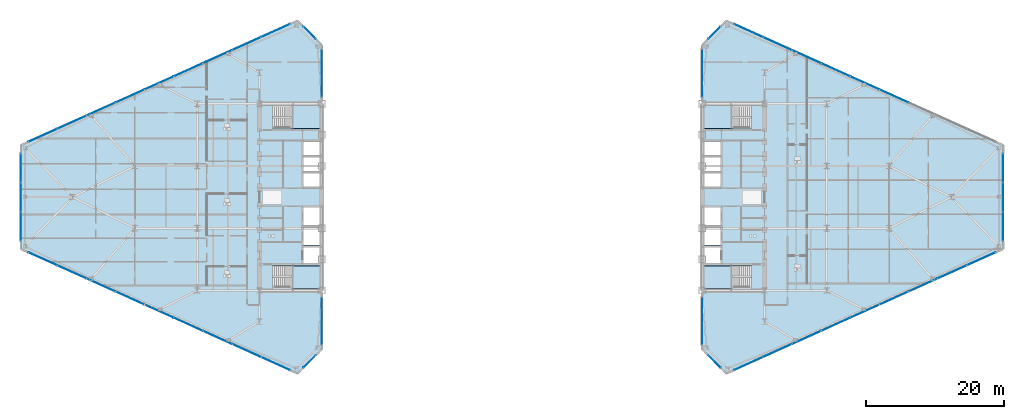
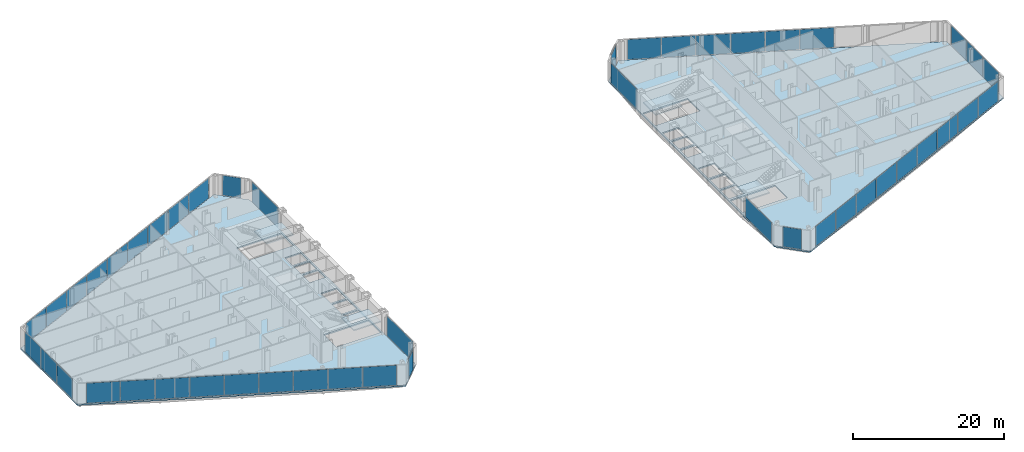
# One storey, part 17 of 27: 47 plates, 6 slabs, 18 elements without a shape of their own.
"""IFC4 building model written with IfcOpenShell, lengths in metres."""

from ifc_helpers import new_model, si_unit, direction, frame, origin, origin_2d, place, context, subcontext, project, spatial, polyline, rectangle, outline, extrude, source, transform, mapped, material, layer, layer_set, type_object, type_shapes, element, aggregate, save


model = new_model("IFC4")

# Units and contexts
model_context = context("Model", 3, precision=1e-05, world=origin(), true_north=direction((0.0, 1.0)))
body_context = subcontext(model_context, "Body", "Model", "MODEL_VIEW")
ifc_project = project(units=[si_unit("LENGTHUNIT", "METRE"), si_unit("AREAUNIT", "SQUARE_METRE"), si_unit("VOLUMEUNIT", "CUBIC_METRE"), si_unit("PLANEANGLEUNIT", "RADIAN"), si_unit("MASSUNIT", "GRAM", prefix="KILO")], contexts=[model_context])

# Site, building, storey
site_placement = place(None, origin())
site = spatial("IfcSite", under=ifc_project, at=site_placement, CompositionType="ELEMENT")
building_placement = place(site_placement, origin())
building = spatial("IfcBuilding", under=site, at=building_placement, Name="Seokmaru Belvedere", CompositionType="ELEMENT")
storey_placement = place(building_placement, frame((0.0, 0.0, 99.60009765625)))
storey = spatial("IfcBuildingStorey", under=building, at=storey_placement, Name="L26", CompositionType="ELEMENT", Elevation=99.60009765625)

# Stair, slab
ifc_material_1 = material(Name="Concrete C40 (40 MPa)", Category="concrete")
stair_type = type_object("IfcStairType", Name="Typical Tower Core Dog-Leg Stair 3600", PredefinedType="TWO_STRAIGHT_RUN_STAIR", material=ifc_material_1)
stair_1_placement = place(storey_placement, origin())
stair_1 = element("IfcStair", 1, at=stair_1_placement, inside=storey, type_object=stair_type, Name="L26 Special Escape Stair ST-W1", PredefinedType="TWO_STRAIGHT_RUN_STAIR")
ifc_layer_1 = layer(ifc_material_1, 0.199951171875)
ifc_layer_set_1 = layer_set([ifc_layer_1], Name="Concrete C40 (40 MPa)")
slab_type_1 = type_object("IfcSlabType", Name="Reinforced Concrete Stair Landing Slab 200", PredefinedType="LANDING", material=ifc_layer_set_1)
slab_1_placement = place(storey_placement, frame((0.0, 0.0, 1.599853515625)))
slab_1 = element("IfcSlab", 2, at=slab_1_placement, type_object=slab_type_1, Name="ST-W1 landing 1", PredefinedType="LANDING", context=body_context, shape_type="SweptSolid", body=[
    extrude(outline(polyline([(-31.8798828125, -13.239990234375), (-27.760009765625, -13.239990234375), (-27.760009765625, -9.949951171875), (-31.8798828125, -9.949951171875), (-31.8798828125, -13.239990234375)])), origin(), (0.0, 0.0, 1.0), 0.199951171875),
])
aggregate(stair_1, [slab_1])

stair_2_placement = place(storey_placement, origin())
stair_2 = element("IfcStair", 3, at=stair_2_placement, inside=storey, type_object=stair_type, Name="L26 Special Escape Stair ST-W2", PredefinedType="TWO_STRAIGHT_RUN_STAIR")
slab_2_placement = place(storey_placement, frame((0.0, 0.0, 1.599853515625)))
slab_2 = element("IfcSlab", 4, at=slab_2_placement, type_object=slab_type_1, Name="ST-W2 landing 1", PredefinedType="LANDING", context=body_context, shape_type="SweptSolid", body=[
    extrude(outline(polyline([(-31.8798828125, 9.949951171875), (-27.760009765625, 9.949951171875), (-27.760009765625, 13.239990234375), (-31.8798828125, 13.239990234375), (-31.8798828125, 9.949951171875)])), origin(), (0.0, 0.0, 1.0), 0.199951171875),
])
aggregate(stair_2, [slab_2])

stair_3_placement = place(storey_placement, origin())
stair_3 = element("IfcStair", 5, at=stair_3_placement, inside=storey, type_object=stair_type, Name="L26 Special Escape Stair ST-E1", PredefinedType="TWO_STRAIGHT_RUN_STAIR")
slab_3_placement = place(storey_placement, frame((0.0, 0.0, 1.599853515625)))
slab_3 = element("IfcSlab", 6, at=slab_3_placement, type_object=slab_type_1, Name="ST-E1 landing 1", PredefinedType="LANDING", context=body_context, shape_type="SweptSolid", body=[
    extrude(outline(polyline([(27.760009765625, -13.239990234375), (31.8798828125, -13.239990234375), (31.8798828125, -9.949951171875), (27.760009765625, -9.949951171875), (27.760009765625, -13.239990234375)])), origin(), (0.0, 0.0, 1.0), 0.199951171875),
])
aggregate(stair_3, [slab_3])

stair_4_placement = place(storey_placement, origin())
stair_4 = element("IfcStair", 7, at=stair_4_placement, inside=storey, type_object=stair_type, Name="L26 Special Escape Stair ST-E2", PredefinedType="TWO_STRAIGHT_RUN_STAIR")
slab_4_placement = place(storey_placement, frame((0.0, 0.0, 1.599853515625)))
slab_4 = element("IfcSlab", 8, at=slab_4_placement, type_object=slab_type_1, Name="ST-E2 landing 1", PredefinedType="LANDING", context=body_context, shape_type="SweptSolid", body=[
    extrude(outline(polyline([(27.760009765625, 9.949951171875), (31.8798828125, 9.949951171875), (31.8798828125, 13.239990234375), (27.760009765625, 13.239990234375), (27.760009765625, 9.949951171875)])), origin(), (0.0, 0.0, 1.0), 0.199951171875),
])
aggregate(stair_4, [slab_4])

# Slabs
ifc_layer_2 = layer(ifc_material_1, 0.219970703125)
ifc_layer_set_2 = layer_set([ifc_layer_2], Name="Concrete C40 (40 MPa)")
slab_type_2 = type_object("IfcSlabType", Name="Typical Tower Composite Floor Slab 220", PredefinedType="FLOOR", material=ifc_layer_set_2)
slab_5_placement = place(storey_placement, frame((0.0, 0.0, -0.22021484375)))
element("IfcSlab", 9, at=slab_5_placement, inside=storey, type_object=slab_type_2, Name="L26 West Leg Floor Slab", PredefinedType="FLOOR", context=body_context, shape_type="SweptSolid", body=[
    extrude(outline(polyline([(-27.5, -22.0), (-27.5, 22.0), (-31.0, 25.5), (-71.0, 7.5), (-71.0, -7.5), (-31.0, -25.5), (-27.5, -22.0)]), holes=[polyline([(-34.60009765625, -13.25), (-27.75, -13.25), (-27.75, -9.949951171875), (-34.60009765625, -9.949951171875), (-34.60009765625, -13.25)]), polyline([(-34.60009765625, 9.949951171875), (-27.75, 9.949951171875), (-27.75, 13.25), (-34.60009765625, 13.25), (-34.60009765625, 9.949951171875)]), polyline([(-30.14990234375, -9.550048828125), (-27.75, -9.550048828125), (-27.75, -7.25), (-30.14990234375, -7.25), (-30.14990234375, -9.550048828125)]), polyline([(-30.14990234375, -6.949951171875), (-27.75, -6.949951171875), (-27.75, -4.35009765625), (-30.14990234375, -4.35009765625), (-30.14990234375, -6.949951171875)]), polyline([(-30.14990234375, -4.050048828125), (-27.75, -4.050048828125), (-27.75, -1.449951171875), (-30.14990234375, -1.449951171875), (-30.14990234375, -4.050048828125)]), polyline([(-30.14990234375, 1.449951171875), (-27.75, 1.449951171875), (-27.75, 3.449951171875), (-30.14990234375, 3.449951171875), (-30.14990234375, 1.449951171875)]), polyline([(-30.14990234375, 3.75), (-27.75, 3.75), (-27.75, 5.75), (-30.14990234375, 5.75), (-30.14990234375, 3.75)]), polyline([(-30.14990234375, 6.050048828125), (-27.75, 6.050048828125), (-27.75, 8.050048828125), (-30.14990234375, 8.050048828125), (-30.14990234375, 6.050048828125)])]), origin(), (0.0, 0.0, 1.0), 0.22021484375),
])
slab_6_placement = place(storey_placement, frame((0.0, 0.0, -0.22021484375)))
element("IfcSlab", 10, at=slab_6_placement, inside=storey, type_object=slab_type_2, Name="L26 East Leg Floor Slab", PredefinedType="FLOOR", context=body_context, shape_type="SweptSolid", body=[
    extrude(outline(polyline([(31.0, -25.5), (71.0, -7.5), (71.0, 7.5), (31.0, 25.5), (27.5, 22.0), (27.5, -22.0), (31.0, -25.5)]), holes=[polyline([(27.75, -13.25), (34.60009765625, -13.25), (34.60009765625, -9.949951171875), (27.75, -9.949951171875), (27.75, -13.25)]), polyline([(27.75, 9.949951171875), (34.60009765625, 9.949951171875), (34.60009765625, 13.25), (27.75, 13.25), (27.75, 9.949951171875)]), polyline([(27.75, -9.550048828125), (30.14990234375, -9.550048828125), (30.14990234375, -7.25), (27.75, -7.25), (27.75, -9.550048828125)]), polyline([(27.75, -6.949951171875), (30.14990234375, -6.949951171875), (30.14990234375, -4.35009765625), (27.75, -4.35009765625), (27.75, -6.949951171875)]), polyline([(27.75, -4.050048828125), (30.14990234375, -4.050048828125), (30.14990234375, -1.449951171875), (27.75, -1.449951171875), (27.75, -4.050048828125)]), polyline([(27.75, 1.449951171875), (30.14990234375, 1.449951171875), (30.14990234375, 3.449951171875), (27.75, 3.449951171875), (27.75, 1.449951171875)]), polyline([(27.75, 3.75), (30.14990234375, 3.75), (30.14990234375, 5.75), (27.75, 5.75), (27.75, 3.75)]), polyline([(27.75, 6.050048828125), (30.14990234375, 6.050048828125), (30.14990234375, 8.050048828125), (27.75, 8.050048828125), (27.75, 6.050048828125)])]), origin(), (0.0, 0.0, 1.0), 0.22021484375),
])

# Curtain wall, plate
ifc_material_2 = material(Name="Bronze Triple Insulating Glass", Category="glass")
ifc_layer_3 = layer(ifc_material_2, 0.195068359375)
ifc_layer_set_3 = layer_set([ifc_layer_3], Name="Bronze Triple Insulating Glass")
curtain_wall_type = type_object("IfcCurtainWallType", Name="Lower-Mid Tapered Curtain Wall System CW-3", PredefinedType="NOTDEFINED", material=ifc_layer_set_3)
curtain_wall_1_placement = place(storey_placement, origin())
curtain_wall_1 = element("IfcCurtainWall", 11, at=curtain_wall_1_placement, inside=storey, type_object=curtain_wall_type, Name="L26 Curtain Wall WSP_1", PredefinedType="NOTDEFINED")
ifc_layer_4 = layer(ifc_material_2, 0.035888671875)
ifc_layer_set_4 = layer_set([ifc_layer_4], Name="Bronze Triple Insulating Glass")
plate_type = type_object("IfcPlateType", Name="Bronze Triple Vision Glazing Panel 36", PredefinedType="CURTAIN_PANEL", material=ifc_layer_set_4)
shared_shape_1 = source(origin(), body_context, "Body", "SweptSolid", [
    extrude(rectangle(XDim=6.909912109375, YDim=0.035888671875, at=origin_2d()), origin(), (0.0, 0.0, 1.0), 3.239990234375),
])
plate_1_placement = place(storey_placement, frame((-27.5, -17.905029296875, 0.06982421875), z_axis=(0.0, 0.0, 1.0), x_axis=(0.0, 1.0, 0.0)))
plate_1 = element("IfcPlate", 12, at=plate_1_placement, type_object=plate_type, Name="CW:L26:WSP_1 Glazing Panel 1-1", PredefinedType="CURTAIN_PANEL", context=body_context, shape_type="MappedRepresentation", body=[
    mapped(shared_shape_1, transform((0.0, 0.0, 0.0), scale=1.0)),
])
aggregate(curtain_wall_1, [plate_1])

curtain_wall_2_placement = place(storey_placement, origin())
curtain_wall_2 = element("IfcCurtainWall", 13, at=curtain_wall_2_placement, inside=storey, type_object=curtain_wall_type, Name="L26 Curtain Wall WSP_2", PredefinedType="NOTDEFINED")
plate_2_placement = place(storey_placement, frame((-27.5, 17.905029296875, 0.06982421875), z_axis=(0.0, 0.0, 1.0), x_axis=(0.0, 1.0, 0.0)))
plate_2 = element("IfcPlate", 14, at=plate_2_placement, type_object=plate_type, Name="CW:L26:WSP_2 Glazing Panel 1-1", PredefinedType="CURTAIN_PANEL", context=body_context, shape_type="MappedRepresentation", body=[
    mapped(shared_shape_1, transform((0.0, 0.0, 0.0), scale=1.0)),
])
aggregate(curtain_wall_2, [plate_2])

curtain_wall_3_placement = place(storey_placement, origin())
curtain_wall_3 = element("IfcCurtainWall", 15, at=curtain_wall_3_placement, inside=storey, type_object=curtain_wall_type, Name="L26 Curtain Wall ESP_1", PredefinedType="NOTDEFINED")
plate_3_placement = place(storey_placement, frame((27.5, -17.905029296875, 0.06982421875), z_axis=(0.0, 0.0, 1.0), x_axis=(0.0, -1.0, 0.0)))
plate_3 = element("IfcPlate", 16, at=plate_3_placement, type_object=plate_type, Name="CW:L26:ESP_1 Glazing Panel 1-1", PredefinedType="CURTAIN_PANEL", context=body_context, shape_type="MappedRepresentation", body=[
    mapped(shared_shape_1, transform((0.0, 0.0, 0.0), scale=1.0)),
])
aggregate(curtain_wall_3, [plate_3])

curtain_wall_4_placement = place(storey_placement, origin())
curtain_wall_4 = element("IfcCurtainWall", 17, at=curtain_wall_4_placement, inside=storey, type_object=curtain_wall_type, Name="L26 Curtain Wall ESP_2", PredefinedType="NOTDEFINED")
plate_4_placement = place(storey_placement, frame((27.5, 17.905029296875, 0.06982421875), z_axis=(0.0, 0.0, 1.0), x_axis=(0.0, -1.0, 0.0)))
plate_4 = element("IfcPlate", 18, at=plate_4_placement, type_object=plate_type, Name="CW:L26:ESP_2 Glazing Panel 1-1", PredefinedType="CURTAIN_PANEL", context=body_context, shape_type="MappedRepresentation", body=[
    mapped(shared_shape_1, transform((0.0, 0.0, 0.0), scale=1.0)),
])
aggregate(curtain_wall_4, [plate_4])

curtain_wall_5_placement = place(storey_placement, origin())
curtain_wall_5 = element("IfcCurtainWall", 19, at=curtain_wall_5_placement, inside=storey, type_object=curtain_wall_type, Name="L26 Curtain Wall WF2", PredefinedType="NOTDEFINED")
shared_shape_2 = source(origin(), body_context, "Body", "SweptSolid", [
    extrude(rectangle(XDim=2.509765625, YDim=0.035888671875, at=origin_2d()), origin(), (0.0, 0.0, 1.0), 3.239990234375),
])
plate_5_placement = place(storey_placement, frame((-29.25, 23.75, 0.06982421875), z_axis=(0.0, 0.0, 1.0), x_axis=(-0.707106781187, 0.707106781187, 0.0)))
plate_5 = element("IfcPlate", 20, at=plate_5_placement, type_object=plate_type, Name="CW:L26:WF2 Glazing Panel 1-1", PredefinedType="CURTAIN_PANEL", context=body_context, shape_type="MappedRepresentation", body=[
    mapped(shared_shape_2, transform((0.0, 0.0, 0.0), scale=1.0)),
])
aggregate(curtain_wall_5, [plate_5])

curtain_wall_6_placement = place(storey_placement, origin())
curtain_wall_6 = element("IfcCurtainWall", 21, at=curtain_wall_6_placement, inside=storey, type_object=curtain_wall_type, Name="L26 Curtain Wall WF6", PredefinedType="NOTDEFINED")
plate_6_placement = place(storey_placement, frame((-29.25, -23.75, 0.06982421875), z_axis=(0.0, 0.0, 1.0), x_axis=(0.707106781187, 0.707106781187, 0.0)))
plate_6 = element("IfcPlate", 22, at=plate_6_placement, type_object=plate_type, Name="CW:L26:WF6 Glazing Panel 1-1", PredefinedType="CURTAIN_PANEL", context=body_context, shape_type="MappedRepresentation", body=[
    mapped(shared_shape_2, transform((0.0, 0.0, 0.0), scale=1.0)),
])
aggregate(curtain_wall_6, [plate_6])

curtain_wall_7_placement = place(storey_placement, origin())
curtain_wall_7 = element("IfcCurtainWall", 23, at=curtain_wall_7_placement, inside=storey, type_object=curtain_wall_type, Name="L26 Curtain Wall EF4", PredefinedType="NOTDEFINED")
plate_7_placement = place(storey_placement, frame((29.25, 23.75, 0.06982421875), z_axis=(0.0, 0.0, 1.0), x_axis=(-0.707106781187, -0.707106781187, 0.0)))
plate_7 = element("IfcPlate", 24, at=plate_7_placement, type_object=plate_type, Name="CW:L26:EF4 Glazing Panel 1-1", PredefinedType="CURTAIN_PANEL", context=body_context, shape_type="MappedRepresentation", body=[
    mapped(shared_shape_2, transform((0.0, 0.0, 0.0), scale=1.0)),
])
aggregate(curtain_wall_7, [plate_7])

curtain_wall_8_placement = place(storey_placement, origin())
curtain_wall_8 = element("IfcCurtainWall", 25, at=curtain_wall_8_placement, inside=storey, type_object=curtain_wall_type, Name="L26 Curtain Wall EF6", PredefinedType="NOTDEFINED")
plate_8_placement = place(storey_placement, frame((29.25, -23.75, 0.06982421875), z_axis=(0.0, 0.0, 1.0), x_axis=(0.707106781187, -0.707106781187, 0.0)))
plate_8 = element("IfcPlate", 26, at=plate_8_placement, type_object=plate_type, Name="CW:L26:EF6 Glazing Panel 1-1", PredefinedType="CURTAIN_PANEL", context=body_context, shape_type="MappedRepresentation", body=[
    mapped(shared_shape_2, transform((0.0, 0.0, 0.0), scale=1.0)),
])
aggregate(curtain_wall_8, [plate_8])

# Curtain wall, plates
curtain_wall_9_placement = place(storey_placement, origin())
curtain_wall_9 = element("IfcCurtainWall", 27, at=curtain_wall_9_placement, inside=storey, type_object=curtain_wall_type, Name="L26 Curtain Wall WF3", PredefinedType="NOTDEFINED")
shared_shape_3 = source(origin(), body_context, "Body", "SweptSolid", [
    extrude(rectangle(XDim=4.51318359375, YDim=0.035888671875, at=origin_2d()), origin(), (0.0, 0.0, 1.0), 3.239990234375),
])
plate_9_placement = place(storey_placement, frame((-34.17041015625, 24.073486328125, 0.06982421875), z_axis=(0.0, 0.0, 1.0), x_axis=(-0.91192111353, -0.41036554765, 0.0)))
plate_9 = element("IfcPlate", 28, at=plate_9_placement, type_object=plate_type, Name="CW:L26:WF3 Glazing Panel 1-1", PredefinedType="CURTAIN_PANEL", context=body_context, shape_type="MappedRepresentation", body=[
    mapped(shared_shape_3, transform((0.0, 0.0, 0.0), scale=1.0)),
])
plate_10_placement = place(storey_placement, frame((-67.82958984375, 8.926513671875, 0.06982421875), z_axis=(0.0, 0.0, 1.0), x_axis=(-0.91192111353, -0.41036554765, 0.0)))
plate_10 = element("IfcPlate", 29, at=plate_10_placement, type_object=plate_type, Name="CW:L26:WF3 Glazing Panel 9-1", PredefinedType="CURTAIN_PANEL", context=body_context, shape_type="MappedRepresentation", body=[
    mapped(shared_shape_3, transform((0.0, 0.0, 0.0), scale=1.0)),
])

curtain_wall_10_placement = place(storey_placement, origin())
curtain_wall_10 = element("IfcCurtainWall", 30, at=curtain_wall_10_placement, inside=storey, type_object=curtain_wall_type, Name="L26 Curtain Wall WF5", PredefinedType="NOTDEFINED")
plate_11_placement = place(storey_placement, frame((-67.82958984375, -8.926513671875, 0.06982421875), z_axis=(0.0, 0.0, 1.0), x_axis=(0.91192111353, -0.41036554765, 0.0)))
plate_11 = element("IfcPlate", 31, at=plate_11_placement, type_object=plate_type, Name="CW:L26:WF5 Glazing Panel 1-1", PredefinedType="CURTAIN_PANEL", context=body_context, shape_type="MappedRepresentation", body=[
    mapped(shared_shape_3, transform((0.0, 0.0, 0.0), scale=1.0)),
])
plate_12_placement = place(storey_placement, frame((-34.17041015625, -24.073486328125, 0.06982421875), z_axis=(0.0, 0.0, 1.0), x_axis=(0.91192111353, -0.41036554765, 0.0)))
plate_12 = element("IfcPlate", 32, at=plate_12_placement, type_object=plate_type, Name="CW:L26:WF5 Glazing Panel 9-1", PredefinedType="CURTAIN_PANEL", context=body_context, shape_type="MappedRepresentation", body=[
    mapped(shared_shape_3, transform((0.0, 0.0, 0.0), scale=1.0)),
])

curtain_wall_11_placement = place(storey_placement, origin())
curtain_wall_11 = element("IfcCurtainWall", 33, at=curtain_wall_11_placement, inside=storey, type_object=curtain_wall_type, Name="L26 Curtain Wall EF1", PredefinedType="NOTDEFINED")
plate_13_placement = place(storey_placement, frame((34.17041015625, -24.073486328125, 0.06982421875), z_axis=(0.0, 0.0, 1.0), x_axis=(0.91192111353, 0.41036554765, 0.0)))
plate_13 = element("IfcPlate", 34, at=plate_13_placement, type_object=plate_type, Name="CW:L26:EF1 Glazing Panel 1-1", PredefinedType="CURTAIN_PANEL", context=body_context, shape_type="MappedRepresentation", body=[
    mapped(shared_shape_3, transform((0.0, 0.0, 0.0), scale=1.0)),
])
plate_14_placement = place(storey_placement, frame((67.82958984375, -8.926513671875, 0.06982421875), z_axis=(0.0, 0.0, 1.0), x_axis=(0.91192111353, 0.41036554765, 0.0)))
plate_14 = element("IfcPlate", 35, at=plate_14_placement, type_object=plate_type, Name="CW:L26:EF1 Glazing Panel 9-1", PredefinedType="CURTAIN_PANEL", context=body_context, shape_type="MappedRepresentation", body=[
    mapped(shared_shape_3, transform((0.0, 0.0, 0.0), scale=1.0)),
])

# Curtain wall, plate
curtain_wall_12_placement = place(storey_placement, origin())
curtain_wall_12 = element("IfcCurtainWall", 36, at=curtain_wall_12_placement, inside=storey, type_object=curtain_wall_type, Name="L26 Curtain Wall EF3", PredefinedType="NOTDEFINED")
plate_15_placement = place(storey_placement, frame((34.17041015625, 24.073486328125, 0.06982421875), z_axis=(0.0, 0.0, 1.0), x_axis=(-0.91192111353, 0.41036554765, 0.0)))
plate_15 = element("IfcPlate", 37, at=plate_15_placement, type_object=plate_type, Name="CW:L26:EF3 Glazing Panel 9-1", PredefinedType="CURTAIN_PANEL", context=body_context, shape_type="MappedRepresentation", body=[
    mapped(shared_shape_3, transform((0.0, 0.0, 0.0), scale=1.0)),
])

# Plate
shared_shape_4 = source(origin(), body_context, "Body", "SweptSolid", [
    extrude(rectangle(XDim=4.548095703125, YDim=0.035888671875, at=origin_2d()), origin(), (0.0, 0.0, 1.0), 3.239990234375),
])
plate_16_placement = place(storey_placement, frame((-38.36572265625, 22.185302734375, 0.06982421875), z_axis=(0.0, 0.0, 1.0), x_axis=(-0.91192111353, -0.41036554765, 0.0)))
plate_16 = element("IfcPlate", 38, at=plate_16_placement, type_object=plate_type, Name="CW:L26:WF3 Glazing Panel 2-1", PredefinedType="CURTAIN_PANEL", context=body_context, shape_type="MappedRepresentation", body=[
    mapped(shared_shape_4, transform((0.0, 0.0, 0.0), scale=1.0)),
])

plate_17_placement = place(storey_placement, frame((-42.5771484375, 20.290283203125, 0.06982421875), z_axis=(0.0, 0.0, 1.0), x_axis=(-0.91192111353, -0.41036554765, 0.0)))
plate_17 = element("IfcPlate", 39, at=plate_17_placement, type_object=plate_type, Name="CW:L26:WF3 Glazing Panel 3-1", PredefinedType="CURTAIN_PANEL", context=body_context, shape_type="MappedRepresentation", body=[
    mapped(shared_shape_4, transform((0.0, 0.0, 0.0), scale=1.0)),
])

plate_18_placement = place(storey_placement, frame((-46.78857421875, 18.39501953125, 0.06982421875), z_axis=(0.0, 0.0, 1.0), x_axis=(-0.91192111353, -0.41036554765, 0.0)))
plate_18 = element("IfcPlate", 40, at=plate_18_placement, type_object=plate_type, Name="CW:L26:WF3 Glazing Panel 4-1", PredefinedType="CURTAIN_PANEL", context=body_context, shape_type="MappedRepresentation", body=[
    mapped(shared_shape_4, transform((0.0, 0.0, 0.0), scale=1.0)),
])

plate_19_placement = place(storey_placement, frame((-51.0, 16.5, 0.06982421875), z_axis=(0.0, 0.0, 1.0), x_axis=(-0.91192111353, -0.41036554765, 0.0)))
plate_19 = element("IfcPlate", 41, at=plate_19_placement, type_object=plate_type, Name="CW:L26:WF3 Glazing Panel 5-1", PredefinedType="CURTAIN_PANEL", context=body_context, shape_type="MappedRepresentation", body=[
    mapped(shared_shape_4, transform((0.0, 0.0, 0.0), scale=1.0)),
])

plate_20_placement = place(storey_placement, frame((-55.21142578125, 14.60498046875, 0.06982421875), z_axis=(0.0, 0.0, 1.0), x_axis=(-0.91192111353, -0.41036554765, 0.0)))
plate_20 = element("IfcPlate", 42, at=plate_20_placement, type_object=plate_type, Name="CW:L26:WF3 Glazing Panel 6-1", PredefinedType="CURTAIN_PANEL", context=body_context, shape_type="MappedRepresentation", body=[
    mapped(shared_shape_4, transform((0.0, 0.0, 0.0), scale=1.0)),
])

plate_21_placement = place(storey_placement, frame((-59.4228515625, 12.709716796875, 0.06982421875), z_axis=(0.0, 0.0, 1.0), x_axis=(-0.91192111353, -0.41036554765, 0.0)))
plate_21 = element("IfcPlate", 43, at=plate_21_placement, type_object=plate_type, Name="CW:L26:WF3 Glazing Panel 7-1", PredefinedType="CURTAIN_PANEL", context=body_context, shape_type="MappedRepresentation", body=[
    mapped(shared_shape_4, transform((0.0, 0.0, 0.0), scale=1.0)),
])

plate_22_placement = place(storey_placement, frame((-63.63427734375, 10.814697265625, 0.06982421875), z_axis=(0.0, 0.0, 1.0), x_axis=(-0.91192111353, -0.41036554765, 0.0)))
plate_22 = element("IfcPlate", 44, at=plate_22_placement, type_object=plate_type, Name="CW:L26:WF3 Glazing Panel 8-1", PredefinedType="CURTAIN_PANEL", context=body_context, shape_type="MappedRepresentation", body=[
    mapped(shared_shape_4, transform((0.0, 0.0, 0.0), scale=1.0)),
])

aggregate(curtain_wall_9, [plate_9, plate_16, plate_17, plate_18, plate_19, plate_20, plate_21, plate_22, plate_10])

plate_23_placement = place(storey_placement, frame((-63.63427734375, -10.814697265625, 0.06982421875), z_axis=(0.0, 0.0, 1.0), x_axis=(0.91192111353, -0.41036554765, 0.0)))
plate_23 = element("IfcPlate", 45, at=plate_23_placement, type_object=plate_type, Name="CW:L26:WF5 Glazing Panel 2-1", PredefinedType="CURTAIN_PANEL", context=body_context, shape_type="MappedRepresentation", body=[
    mapped(shared_shape_4, transform((0.0, 0.0, 0.0), scale=1.0)),
])

plate_24_placement = place(storey_placement, frame((-59.4228515625, -12.709716796875, 0.06982421875), z_axis=(0.0, 0.0, 1.0), x_axis=(0.91192111353, -0.41036554765, 0.0)))
plate_24 = element("IfcPlate", 46, at=plate_24_placement, type_object=plate_type, Name="CW:L26:WF5 Glazing Panel 3-1", PredefinedType="CURTAIN_PANEL", context=body_context, shape_type="MappedRepresentation", body=[
    mapped(shared_shape_4, transform((0.0, 0.0, 0.0), scale=1.0)),
])

plate_25_placement = place(storey_placement, frame((-55.21142578125, -14.60498046875, 0.06982421875), z_axis=(0.0, 0.0, 1.0), x_axis=(0.91192111353, -0.41036554765, 0.0)))
plate_25 = element("IfcPlate", 47, at=plate_25_placement, type_object=plate_type, Name="CW:L26:WF5 Glazing Panel 4-1", PredefinedType="CURTAIN_PANEL", context=body_context, shape_type="MappedRepresentation", body=[
    mapped(shared_shape_4, transform((0.0, 0.0, 0.0), scale=1.0)),
])

plate_26_placement = place(storey_placement, frame((-51.0, -16.5, 0.06982421875), z_axis=(0.0, 0.0, 1.0), x_axis=(0.91192111353, -0.41036554765, 0.0)))
plate_26 = element("IfcPlate", 48, at=plate_26_placement, type_object=plate_type, Name="CW:L26:WF5 Glazing Panel 5-1", PredefinedType="CURTAIN_PANEL", context=body_context, shape_type="MappedRepresentation", body=[
    mapped(shared_shape_4, transform((0.0, 0.0, 0.0), scale=1.0)),
])

plate_27_placement = place(storey_placement, frame((-46.78857421875, -18.39501953125, 0.06982421875), z_axis=(0.0, 0.0, 1.0), x_axis=(0.91192111353, -0.41036554765, 0.0)))
plate_27 = element("IfcPlate", 49, at=plate_27_placement, type_object=plate_type, Name="CW:L26:WF5 Glazing Panel 6-1", PredefinedType="CURTAIN_PANEL", context=body_context, shape_type="MappedRepresentation", body=[
    mapped(shared_shape_4, transform((0.0, 0.0, 0.0), scale=1.0)),
])

plate_28_placement = place(storey_placement, frame((-42.5771484375, -20.290283203125, 0.06982421875), z_axis=(0.0, 0.0, 1.0), x_axis=(0.91192111353, -0.41036554765, 0.0)))
plate_28 = element("IfcPlate", 50, at=plate_28_placement, type_object=plate_type, Name="CW:L26:WF5 Glazing Panel 7-1", PredefinedType="CURTAIN_PANEL", context=body_context, shape_type="MappedRepresentation", body=[
    mapped(shared_shape_4, transform((0.0, 0.0, 0.0), scale=1.0)),
])

plate_29_placement = place(storey_placement, frame((-38.36572265625, -22.185302734375, 0.06982421875), z_axis=(0.0, 0.0, 1.0), x_axis=(0.91192111353, -0.41036554765, 0.0)))
plate_29 = element("IfcPlate", 51, at=plate_29_placement, type_object=plate_type, Name="CW:L26:WF5 Glazing Panel 8-1", PredefinedType="CURTAIN_PANEL", context=body_context, shape_type="MappedRepresentation", body=[
    mapped(shared_shape_4, transform((0.0, 0.0, 0.0), scale=1.0)),
])

aggregate(curtain_wall_10, [plate_11, plate_23, plate_24, plate_25, plate_26, plate_27, plate_28, plate_29, plate_12])

plate_30_placement = place(storey_placement, frame((38.36572265625, -22.185302734375, 0.06982421875), z_axis=(0.0, 0.0, 1.0), x_axis=(0.91192111353, 0.41036554765, 0.0)))
plate_30 = element("IfcPlate", 52, at=plate_30_placement, type_object=plate_type, Name="CW:L26:EF1 Glazing Panel 2-1", PredefinedType="CURTAIN_PANEL", context=body_context, shape_type="MappedRepresentation", body=[
    mapped(shared_shape_4, transform((0.0, 0.0, 0.0), scale=1.0)),
])

plate_31_placement = place(storey_placement, frame((42.5771484375, -20.290283203125, 0.06982421875), z_axis=(0.0, 0.0, 1.0), x_axis=(0.91192111353, 0.41036554765, 0.0)))
plate_31 = element("IfcPlate", 53, at=plate_31_placement, type_object=plate_type, Name="CW:L26:EF1 Glazing Panel 3-1", PredefinedType="CURTAIN_PANEL", context=body_context, shape_type="MappedRepresentation", body=[
    mapped(shared_shape_4, transform((0.0, 0.0, 0.0), scale=1.0)),
])

plate_32_placement = place(storey_placement, frame((46.78857421875, -18.39501953125, 0.06982421875), z_axis=(0.0, 0.0, 1.0), x_axis=(0.91192111353, 0.41036554765, 0.0)))
plate_32 = element("IfcPlate", 54, at=plate_32_placement, type_object=plate_type, Name="CW:L26:EF1 Glazing Panel 4-1", PredefinedType="CURTAIN_PANEL", context=body_context, shape_type="MappedRepresentation", body=[
    mapped(shared_shape_4, transform((0.0, 0.0, 0.0), scale=1.0)),
])

plate_33_placement = place(storey_placement, frame((51.0, -16.5, 0.06982421875), z_axis=(0.0, 0.0, 1.0), x_axis=(0.91192111353, 0.41036554765, 0.0)))
plate_33 = element("IfcPlate", 55, at=plate_33_placement, type_object=plate_type, Name="CW:L26:EF1 Glazing Panel 5-1", PredefinedType="CURTAIN_PANEL", context=body_context, shape_type="MappedRepresentation", body=[
    mapped(shared_shape_4, transform((0.0, 0.0, 0.0), scale=1.0)),
])

plate_34_placement = place(storey_placement, frame((55.21142578125, -14.60498046875, 0.06982421875), z_axis=(0.0, 0.0, 1.0), x_axis=(0.91192111353, 0.41036554765, 0.0)))
plate_34 = element("IfcPlate", 56, at=plate_34_placement, type_object=plate_type, Name="CW:L26:EF1 Glazing Panel 6-1", PredefinedType="CURTAIN_PANEL", context=body_context, shape_type="MappedRepresentation", body=[
    mapped(shared_shape_4, transform((0.0, 0.0, 0.0), scale=1.0)),
])

plate_35_placement = place(storey_placement, frame((59.4228515625, -12.709716796875, 0.06982421875), z_axis=(0.0, 0.0, 1.0), x_axis=(0.91192111353, 0.41036554765, 0.0)))
plate_35 = element("IfcPlate", 57, at=plate_35_placement, type_object=plate_type, Name="CW:L26:EF1 Glazing Panel 7-1", PredefinedType="CURTAIN_PANEL", context=body_context, shape_type="MappedRepresentation", body=[
    mapped(shared_shape_4, transform((0.0, 0.0, 0.0), scale=1.0)),
])

plate_36_placement = place(storey_placement, frame((63.63427734375, -10.814697265625, 0.06982421875), z_axis=(0.0, 0.0, 1.0), x_axis=(0.91192111353, 0.41036554765, 0.0)))
plate_36 = element("IfcPlate", 58, at=plate_36_placement, type_object=plate_type, Name="CW:L26:EF1 Glazing Panel 8-1", PredefinedType="CURTAIN_PANEL", context=body_context, shape_type="MappedRepresentation", body=[
    mapped(shared_shape_4, transform((0.0, 0.0, 0.0), scale=1.0)),
])

aggregate(curtain_wall_11, [plate_13, plate_30, plate_31, plate_32, plate_33, plate_34, plate_35, plate_36, plate_14])

plate_37_placement = place(storey_placement, frame((55.21142578125, 14.60498046875, 0.06982421875), z_axis=(0.0, 0.0, 1.0), x_axis=(-0.91192111353, 0.41036554765, 0.0)))
plate_37 = element("IfcPlate", 59, at=plate_37_placement, type_object=plate_type, Name="CW:L26:EF3 Glazing Panel 4-1", PredefinedType="CURTAIN_PANEL", context=body_context, shape_type="MappedRepresentation", body=[
    mapped(shared_shape_4, transform((0.0, 0.0, 0.0), scale=1.0)),
])

plate_38_placement = place(storey_placement, frame((51.0, 16.5, 0.06982421875), z_axis=(0.0, 0.0, 1.0), x_axis=(-0.91192111353, 0.41036554765, 0.0)))
plate_38 = element("IfcPlate", 60, at=plate_38_placement, type_object=plate_type, Name="CW:L26:EF3 Glazing Panel 5-1", PredefinedType="CURTAIN_PANEL", context=body_context, shape_type="MappedRepresentation", body=[
    mapped(shared_shape_4, transform((0.0, 0.0, 0.0), scale=1.0)),
])

plate_39_placement = place(storey_placement, frame((46.78857421875, 18.39501953125, 0.06982421875), z_axis=(0.0, 0.0, 1.0), x_axis=(-0.91192111353, 0.41036554765, 0.0)))
plate_39 = element("IfcPlate", 61, at=plate_39_placement, type_object=plate_type, Name="CW:L26:EF3 Glazing Panel 6-1", PredefinedType="CURTAIN_PANEL", context=body_context, shape_type="MappedRepresentation", body=[
    mapped(shared_shape_4, transform((0.0, 0.0, 0.0), scale=1.0)),
])

plate_40_placement = place(storey_placement, frame((42.5771484375, 20.290283203125, 0.06982421875), z_axis=(0.0, 0.0, 1.0), x_axis=(-0.91192111353, 0.41036554765, 0.0)))
plate_40 = element("IfcPlate", 62, at=plate_40_placement, type_object=plate_type, Name="CW:L26:EF3 Glazing Panel 7-1", PredefinedType="CURTAIN_PANEL", context=body_context, shape_type="MappedRepresentation", body=[
    mapped(shared_shape_4, transform((0.0, 0.0, 0.0), scale=1.0)),
])

plate_41_placement = place(storey_placement, frame((38.36572265625, 22.185302734375, 0.06982421875), z_axis=(0.0, 0.0, 1.0), x_axis=(-0.91192111353, 0.41036554765, 0.0)))
plate_41 = element("IfcPlate", 63, at=plate_41_placement, type_object=plate_type, Name="CW:L26:EF3 Glazing Panel 8-1", PredefinedType="CURTAIN_PANEL", context=body_context, shape_type="MappedRepresentation", body=[
    mapped(shared_shape_4, transform((0.0, 0.0, 0.0), scale=1.0)),
])

aggregate(curtain_wall_12, [plate_37, plate_38, plate_39, plate_40, plate_41, plate_15])

# Curtain wall, plates
curtain_wall_13_placement = place(storey_placement, origin())
curtain_wall_13 = element("IfcCurtainWall", 64, at=curtain_wall_13_placement, inside=storey, type_object=curtain_wall_type, Name="L26 Curtain Wall WF4", PredefinedType="NOTDEFINED")
shared_shape_5 = source(origin(), body_context, "Body", "SweptSolid", [
    extrude(rectangle(XDim=4.12841796875, YDim=0.035888671875, at=origin_2d()), origin(), (0.0, 0.0, 1.0), 3.239990234375),
])
plate_42_placement = place(storey_placement, frame((-71.0, 4.2158203125, 0.06982421875), z_axis=(0.0, 0.0, 1.0), x_axis=(0.0, -1.0, 0.0)))
plate_42 = element("IfcPlate", 65, at=plate_42_placement, type_object=plate_type, Name="CW:L26:WF4 Glazing Panel 1-1", PredefinedType="CURTAIN_PANEL", context=body_context, shape_type="MappedRepresentation", body=[
    mapped(shared_shape_5, transform((0.0, 0.0, 0.0), scale=1.0)),
])
plate_43_placement = place(storey_placement, frame((-71.0, -4.2158203125, 0.06982421875), z_axis=(0.0, 0.0, 1.0), x_axis=(0.0, -1.0, 0.0)))
plate_43 = element("IfcPlate", 66, at=plate_43_placement, type_object=plate_type, Name="CW:L26:WF4 Glazing Panel 3-1", PredefinedType="CURTAIN_PANEL", context=body_context, shape_type="MappedRepresentation", body=[
    mapped(shared_shape_5, transform((0.0, 0.0, 0.0), scale=1.0)),
])

curtain_wall_14_placement = place(storey_placement, origin())
curtain_wall_14 = element("IfcCurtainWall", 67, at=curtain_wall_14_placement, inside=storey, type_object=curtain_wall_type, Name="L26 Curtain Wall EF2", PredefinedType="NOTDEFINED")
plate_44_placement = place(storey_placement, frame((71.0, -4.2158203125, 0.06982421875), z_axis=(0.0, 0.0, 1.0), x_axis=(0.0, 1.0, 0.0)))
plate_44 = element("IfcPlate", 68, at=plate_44_placement, type_object=plate_type, Name="CW:L26:EF2 Glazing Panel 1-1", PredefinedType="CURTAIN_PANEL", context=body_context, shape_type="MappedRepresentation", body=[
    mapped(shared_shape_5, transform((0.0, 0.0, 0.0), scale=1.0)),
])
plate_45_placement = place(storey_placement, frame((71.0, 4.2158203125, 0.06982421875), z_axis=(0.0, 0.0, 1.0), x_axis=(0.0, 1.0, 0.0)))
plate_45 = element("IfcPlate", 69, at=plate_45_placement, type_object=plate_type, Name="CW:L26:EF2 Glazing Panel 3-1", PredefinedType="CURTAIN_PANEL", context=body_context, shape_type="MappedRepresentation", body=[
    mapped(shared_shape_5, transform((0.0, 0.0, 0.0), scale=1.0)),
])

# Plate
shared_shape_6 = source(origin(), body_context, "Body", "SweptSolid", [
    extrude(rectangle(XDim=4.163330078125, YDim=0.035888671875, at=origin_2d()), origin(), (0.0, 0.0, 1.0), 3.239990234375),
])
type_shapes(plate_type, [shared_shape_1, shared_shape_2, shared_shape_3, shared_shape_4, shared_shape_5, shared_shape_6])
plate_46_placement = place(storey_placement, frame((-71.0, 0.0, 0.06982421875), z_axis=(0.0, 0.0, 1.0), x_axis=(0.0, -1.0, 0.0)))
plate_46 = element("IfcPlate", 70, at=plate_46_placement, type_object=plate_type, Name="CW:L26:WF4 Glazing Panel 2-1", PredefinedType="CURTAIN_PANEL", context=body_context, shape_type="MappedRepresentation", body=[
    mapped(shared_shape_6, transform((0.0, 0.0, 0.0), scale=1.0)),
])

aggregate(curtain_wall_13, [plate_42, plate_46, plate_43])

plate_47_placement = place(storey_placement, frame((71.0, 0.0, 0.06982421875), z_axis=(0.0, 0.0, 1.0), x_axis=(0.0, 1.0, 0.0)))
plate_47 = element("IfcPlate", 71, at=plate_47_placement, type_object=plate_type, Name="CW:L26:EF2 Glazing Panel 2-1", PredefinedType="CURTAIN_PANEL", context=body_context, shape_type="MappedRepresentation", body=[
    mapped(shared_shape_6, transform((0.0, 0.0, 0.0), scale=1.0)),
])

aggregate(curtain_wall_14, [plate_44, plate_47, plate_45])

save(model, "model.ifc")
